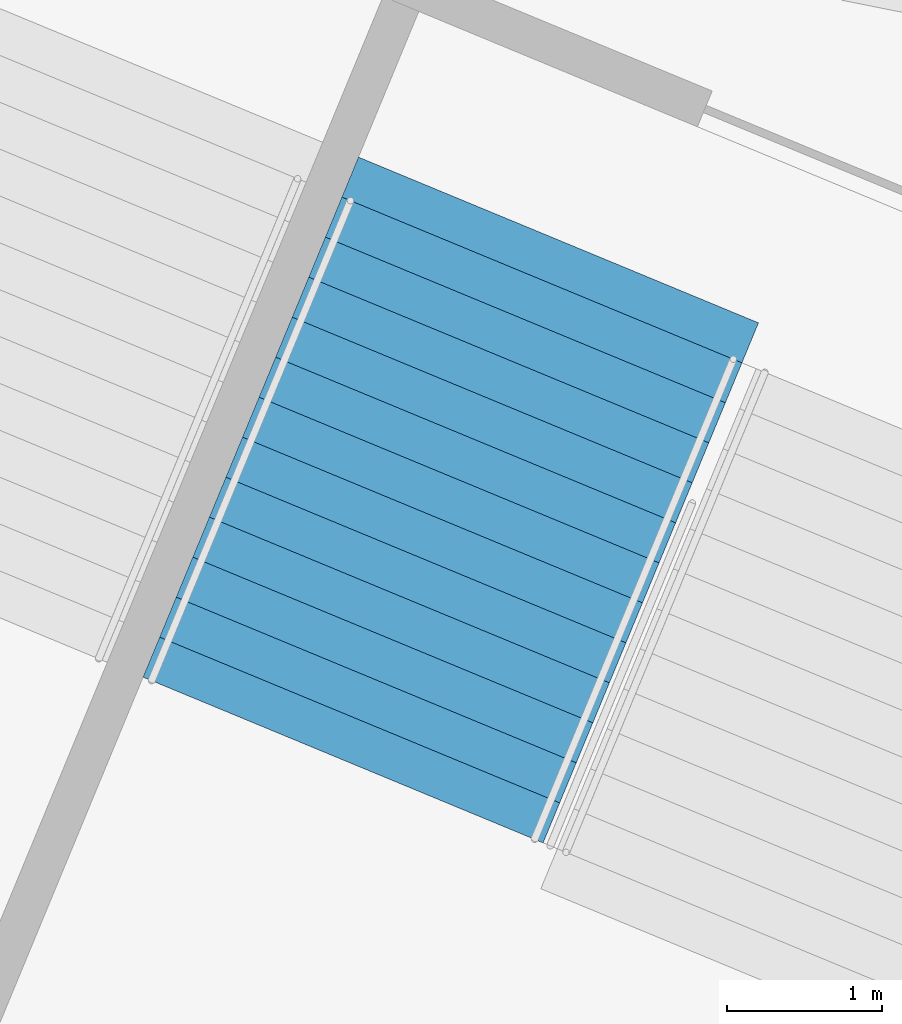
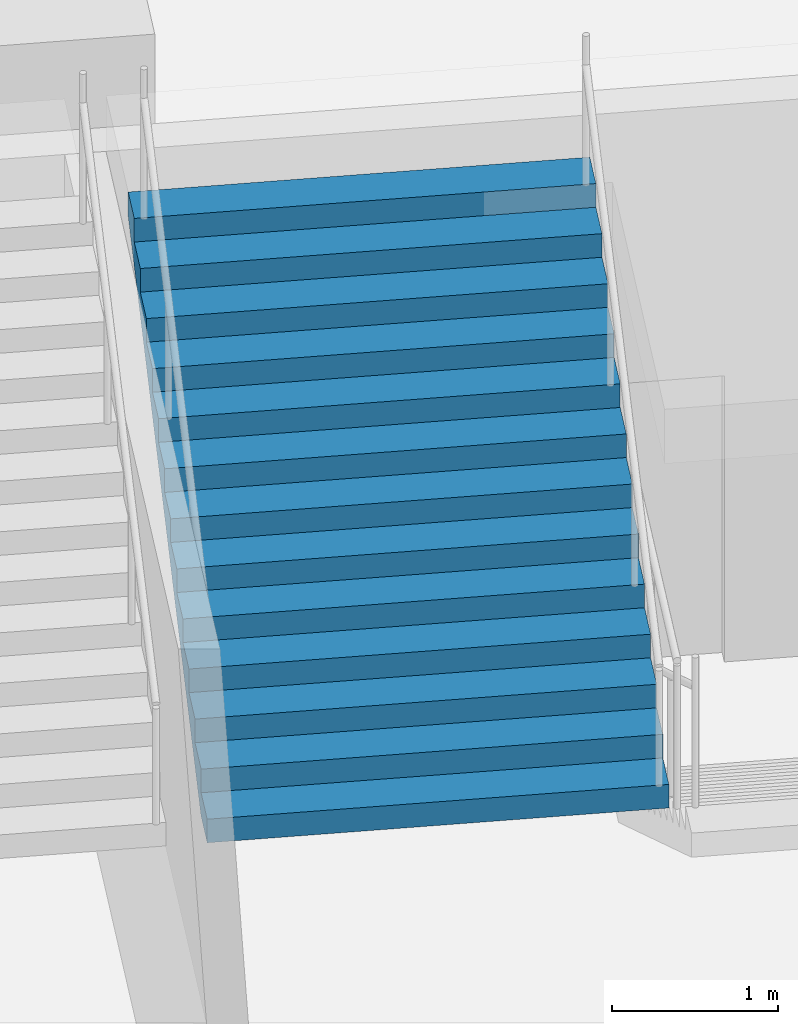
# One storey, part 50 of 175: 1 stair flight, 1 element without a shape of its own.
"""IFC4 building model written with IfcOpenShell, lengths in metres."""

from ifc_helpers import new_model, si_unit, direction, frame, origin, place, context, subcontext, project, spatial, faceted_brep, material, type_object, element, aggregate, save


model = new_model("IFC4")

# Units and contexts
model_context = context("Model", 3, precision=1e-05, world=origin(), true_north=direction((0.0, 1.0)))
body_context = subcontext(model_context, "Body", "Model", "MODEL_VIEW")
ifc_project = project(units=[si_unit("LENGTHUNIT", "METRE"), si_unit("AREAUNIT", "SQUARE_METRE"), si_unit("VOLUMEUNIT", "CUBIC_METRE"), si_unit("PLANEANGLEUNIT", "RADIAN"), si_unit("MASSUNIT", "GRAM", prefix="KILO")], contexts=[model_context])

# Site, building, storey
site_placement = place(None, origin())
site = spatial("IfcSite", under=ifc_project, at=site_placement, CompositionType="ELEMENT")
building_placement = place(site_placement, origin())
building = spatial("IfcBuilding", under=site, at=building_placement, Name="Ogive Plaza Stadium", CompositionType="ELEMENT")
storey_placement = place(building_placement, origin())
storey = spatial("IfcBuildingStorey", under=building, at=storey_placement, Name="L00", CompositionType="ELEMENT", Elevation=0.0)

# Stair, stair flight
ifc_material_1 = material(Name="Concrete C40/50", Category="concrete")
stair_type = type_object("IfcStairType", Name="Exit stair", PredefinedType="STRAIGHT_RUN_STAIR", material=ifc_material_1)
stair_placement = place(storey_placement, origin())
stair = element("IfcStair", 1, at=stair_placement, inside=storey, type_object=stair_type, Name="Exit stair ST18B L00 to L01", PredefinedType="STRAIGHT_RUN_STAIR")
ifc_material_2 = material(Name="Concrete C40/50", Category="concrete")
stair_flight_type = type_object("IfcStairFlightType", Name="Exit stair flight", PredefinedType="STRAIGHT", material=ifc_material_2)
stair_flight_placement = place(storey_placement, frame((-50.08349609375, -95.314208984375, 2.25), z_axis=(0.0, 0.0, 1.0), x_axis=(0.382683432365, 0.923879532511, 0.0)))
stair_flight = element("IfcStairFlight", 2, at=stair_flight_placement, type_object=stair_flight_type, Name="ST18B flight 2", NumberOfRisers=13, NumberOfTreads=12, PredefinedType="STRAIGHT", RiserHeight=0.173076923, TreadLength=0.28, context=body_context, shape_type="Brep", body=[
    faceted_brep([(0.28515625, -1.39990234375, 0.0), (3.639892578125, -1.39990234375, 2.07373046875), (3.639892578125, -1.39990234375, 2.25), (3.360107421875, -1.39990234375, 2.25), (3.360107421875, -1.39990234375, 2.076904296875), (3.080078125, -1.39990234375, 2.076904296875), (3.080078125, -1.39990234375, 1.90380859375), (2.800048828125, -1.39990234375, 1.90380859375), (2.800048828125, -1.39990234375, 1.730712890625), (2.52001953125, -1.39990234375, 1.730712890625), (2.52001953125, -1.39990234375, 1.5576171875), (2.239990234375, -1.39990234375, 1.5576171875), (2.239990234375, -1.39990234375, 1.384521484375), (1.9599609375, -1.39990234375, 1.384521484375), (1.9599609375, -1.39990234375, 1.21142578125), (1.679931640625, -1.39990234375, 1.21142578125), (1.679931640625, -1.39990234375, 1.03857421875), (1.39990234375, -1.39990234375, 1.03857421875), (1.39990234375, -1.39990234375, 0.865478515625), (1.1201171875, -1.39990234375, 0.865478515625), (1.1201171875, -1.39990234375, 0.6923828125), (0.840087890625, -1.39990234375, 0.6923828125), (0.840087890625, -1.39990234375, 0.519287109375), (0.56005859375, -1.39990234375, 0.519287109375), (0.56005859375, -1.39990234375, 0.34619140625), (0.280029296875, -1.39990234375, 0.34619140625), (0.280029296875, -1.39990234375, 0.173095703125), (0.0, -1.39990234375, 0.173095703125), (0.0, -1.39990234375, 0.0), (0.0, 1.39990234375, 0.0), (0.0, 1.39990234375, 0.173095703125), (0.280029296875, 1.39990234375, 0.173095703125), (0.280029296875, 1.39990234375, 0.34619140625), (0.56005859375, 1.39990234375, 0.34619140625), (0.56005859375, 1.39990234375, 0.519287109375), (0.840087890625, 1.39990234375, 0.519287109375), (0.840087890625, 1.39990234375, 0.6923828125), (1.1201171875, 1.39990234375, 0.6923828125), (1.1201171875, 1.39990234375, 0.865478515625), (1.39990234375, 1.39990234375, 0.865478515625), (1.39990234375, 1.39990234375, 1.03857421875), (1.679931640625, 1.39990234375, 1.03857421875), (1.679931640625, 1.39990234375, 1.21142578125), (1.9599609375, 1.39990234375, 1.21142578125), (1.9599609375, 1.39990234375, 1.384521484375), (2.239990234375, 1.39990234375, 1.384521484375), (2.239990234375, 1.39990234375, 1.5576171875), (2.52001953125, 1.39990234375, 1.5576171875), (2.52001953125, 1.39990234375, 1.730712890625), (2.800048828125, 1.39990234375, 1.730712890625), (2.800048828125, 1.39990234375, 1.90380859375), (3.080078125, 1.39990234375, 1.90380859375), (3.080078125, 1.39990234375, 2.076904296875), (3.360107421875, 1.39990234375, 2.076904296875), (3.360107421875, 1.39990234375, 2.25), (3.639892578125, 1.39990234375, 2.25), (3.639892578125, 1.39990234375, 2.07373046875), (0.28515625, 1.39990234375, 0.0), (0.28515625, -1.0888671875, 0.0), (3.639892578125, -1.0888671875, 2.07373046875), (0.28515625, -0.77783203125, 0.0), (3.639892578125, -0.77783203125, 2.07373046875), (0.28515625, -0.466796875, 0.0), (3.639892578125, -0.466796875, 2.07373046875), (0.28515625, -0.155517578125, 0.0), (3.639892578125, -0.155517578125, 2.07373046875), (0.28515625, 0.155517578125, 0.0), (3.639892578125, 0.155517578125, 2.07373046875), (0.28515625, 0.466796875, 0.0), (3.639892578125, 0.466796875, 2.07373046875), (0.28515625, 0.77783203125, 0.0), (3.639892578125, 0.77783203125, 2.07373046875), (0.28515625, 1.0888671875, 0.0), (3.639892578125, 1.0888671875, 2.07373046875), (3.639892578125, -1.0888671875, 2.25), (3.639892578125, -0.77783203125, 2.25), (3.639892578125, -0.466796875, 2.25), (3.639892578125, -0.155517578125, 2.25), (3.639892578125, 0.155517578125, 2.25), (3.639892578125, 0.466796875, 2.25), (3.639892578125, 0.77783203125, 2.25), (3.639892578125, 1.0888671875, 2.25), (3.360107421875, -1.0888671875, 2.25), (3.360107421875, -0.77783203125, 2.25), (3.360107421875, -0.466796875, 2.25), (3.360107421875, -0.155517578125, 2.25), (3.360107421875, 0.155517578125, 2.25), (3.360107421875, 0.466796875, 2.25), (3.360107421875, 0.77783203125, 2.25), (3.360107421875, 1.0888671875, 2.25), (3.360107421875, -1.0888671875, 2.076904296875), (3.360107421875, -0.77783203125, 2.076904296875), (3.360107421875, -0.466796875, 2.076904296875), (3.360107421875, -0.155517578125, 2.076904296875), (3.360107421875, 0.155517578125, 2.076904296875), (3.360107421875, 0.466796875, 2.076904296875), (3.360107421875, 0.77783203125, 2.076904296875), (3.360107421875, 1.0888671875, 2.076904296875), (3.080078125, -1.0888671875, 2.076904296875), (3.080078125, -0.77783203125, 2.076904296875), (3.080078125, -0.466796875, 2.076904296875), (3.080078125, -0.155517578125, 2.076904296875), (3.080078125, 0.155517578125, 2.076904296875), (3.080078125, 0.466796875, 2.076904296875), (3.080078125, 0.77783203125, 2.076904296875), (3.080078125, 1.0888671875, 2.076904296875), (3.080078125, -1.0888671875, 1.90380859375), (3.080078125, -0.77783203125, 1.90380859375), (3.080078125, -0.466796875, 1.90380859375), (3.080078125, -0.155517578125, 1.90380859375), (3.080078125, 0.155517578125, 1.90380859375), (3.080078125, 0.466796875, 1.90380859375), (3.080078125, 0.77783203125, 1.90380859375), (3.080078125, 1.0888671875, 1.90380859375), (2.800048828125, -1.0888671875, 1.90380859375), (2.800048828125, -0.77783203125, 1.90380859375), (2.800048828125, -0.466796875, 1.90380859375), (2.800048828125, -0.155517578125, 1.90380859375), (2.800048828125, 0.155517578125, 1.90380859375), (2.800048828125, 0.466796875, 1.90380859375), (2.800048828125, 0.77783203125, 1.90380859375), (2.800048828125, 1.0888671875, 1.90380859375), (2.800048828125, -1.0888671875, 1.730712890625), (2.800048828125, -0.77783203125, 1.730712890625), (2.800048828125, -0.466796875, 1.730712890625), (2.800048828125, -0.155517578125, 1.730712890625), (2.800048828125, 0.155517578125, 1.730712890625), (2.800048828125, 0.466796875, 1.730712890625), (2.800048828125, 0.77783203125, 1.730712890625), (2.800048828125, 1.0888671875, 1.730712890625), (2.52001953125, -1.0888671875, 1.730712890625), (2.52001953125, -0.77783203125, 1.730712890625), (2.52001953125, -0.466796875, 1.730712890625), (2.52001953125, -0.155517578125, 1.730712890625), (2.52001953125, 0.155517578125, 1.730712890625), (2.52001953125, 0.466796875, 1.730712890625), (2.52001953125, 0.77783203125, 1.730712890625), (2.52001953125, 1.0888671875, 1.730712890625), (2.52001953125, -1.0888671875, 1.5576171875), (2.52001953125, -0.77783203125, 1.5576171875), (2.52001953125, -0.466796875, 1.5576171875), (2.52001953125, -0.155517578125, 1.5576171875), (2.52001953125, 0.155517578125, 1.5576171875), (2.52001953125, 0.466796875, 1.5576171875), (2.52001953125, 0.77783203125, 1.5576171875), (2.52001953125, 1.0888671875, 1.5576171875), (2.239990234375, -1.0888671875, 1.5576171875), (2.239990234375, -0.77783203125, 1.5576171875), (2.239990234375, -0.466796875, 1.5576171875), (2.239990234375, -0.155517578125, 1.5576171875), (2.239990234375, 0.155517578125, 1.5576171875), (2.239990234375, 0.466796875, 1.5576171875), (2.239990234375, 0.77783203125, 1.5576171875), (2.239990234375, 1.0888671875, 1.5576171875), (2.239990234375, -1.0888671875, 1.384521484375), (2.239990234375, -0.77783203125, 1.384521484375), (2.239990234375, -0.466796875, 1.384521484375), (2.239990234375, -0.155517578125, 1.384521484375), (2.239990234375, 0.155517578125, 1.384521484375), (2.239990234375, 0.466796875, 1.384521484375), (2.239990234375, 0.77783203125, 1.384521484375), (2.239990234375, 1.0888671875, 1.384521484375), (1.9599609375, -1.0888671875, 1.384521484375), (1.9599609375, -0.77783203125, 1.384521484375), (1.9599609375, -0.466796875, 1.384521484375), (1.9599609375, -0.155517578125, 1.384521484375), (1.9599609375, 0.155517578125, 1.384521484375), (1.9599609375, 0.466796875, 1.384521484375), (1.9599609375, 0.77783203125, 1.384521484375), (1.9599609375, 1.0888671875, 1.384521484375), (1.9599609375, -1.0888671875, 1.21142578125), (1.9599609375, -0.77783203125, 1.21142578125), (1.9599609375, -0.466796875, 1.21142578125), (1.9599609375, -0.155517578125, 1.21142578125), (1.9599609375, 0.155517578125, 1.21142578125), (1.9599609375, 0.466796875, 1.21142578125), (1.9599609375, 0.77783203125, 1.21142578125), (1.9599609375, 1.0888671875, 1.21142578125), (1.679931640625, -1.0888671875, 1.21142578125), (1.679931640625, -0.77783203125, 1.21142578125), (1.679931640625, -0.466796875, 1.21142578125), (1.679931640625, -0.155517578125, 1.21142578125), (1.679931640625, 0.155517578125, 1.21142578125), (1.679931640625, 0.466796875, 1.21142578125), (1.679931640625, 0.77783203125, 1.21142578125), (1.679931640625, 1.0888671875, 1.21142578125), (1.679931640625, -1.0888671875, 1.03857421875), (1.679931640625, -0.77783203125, 1.03857421875), (1.679931640625, -0.466796875, 1.03857421875), (1.679931640625, -0.155517578125, 1.03857421875), (1.679931640625, 0.155517578125, 1.03857421875), (1.679931640625, 0.466796875, 1.03857421875), (1.679931640625, 0.77783203125, 1.03857421875), (1.679931640625, 1.0888671875, 1.03857421875), (1.39990234375, -1.0888671875, 1.03857421875), (1.39990234375, -0.77783203125, 1.03857421875), (1.39990234375, -0.466796875, 1.03857421875), (1.39990234375, -0.155517578125, 1.03857421875), (1.39990234375, 0.155517578125, 1.03857421875), (1.39990234375, 0.466796875, 1.03857421875), (1.39990234375, 0.77783203125, 1.03857421875), (1.39990234375, 1.0888671875, 1.03857421875), (1.39990234375, -1.0888671875, 0.865478515625), (1.39990234375, -0.77783203125, 0.865478515625), (1.39990234375, -0.466796875, 0.865478515625), (1.39990234375, -0.155517578125, 0.865478515625), (1.39990234375, 0.155517578125, 0.865478515625), (1.39990234375, 0.466796875, 0.865478515625), (1.39990234375, 0.77783203125, 0.865478515625), (1.39990234375, 1.0888671875, 0.865478515625), (1.1201171875, -1.0888671875, 0.865478515625), (1.1201171875, -0.77783203125, 0.865478515625), (1.1201171875, -0.466796875, 0.865478515625), (1.1201171875, -0.155517578125, 0.865478515625), (1.1201171875, 0.155517578125, 0.865478515625), (1.1201171875, 0.466796875, 0.865478515625), (1.1201171875, 0.77783203125, 0.865478515625), (1.1201171875, 1.0888671875, 0.865478515625), (1.1201171875, -1.0888671875, 0.6923828125), (1.1201171875, -0.77783203125, 0.6923828125), (1.1201171875, -0.466796875, 0.6923828125), (1.1201171875, -0.155517578125, 0.6923828125), (1.1201171875, 0.155517578125, 0.6923828125), (1.1201171875, 0.466796875, 0.6923828125), (1.1201171875, 0.77783203125, 0.6923828125), (1.1201171875, 1.0888671875, 0.6923828125), (0.840087890625, -1.0888671875, 0.6923828125), (0.840087890625, -0.77783203125, 0.6923828125), (0.840087890625, -0.466796875, 0.6923828125), (0.840087890625, -0.155517578125, 0.6923828125), (0.840087890625, 0.155517578125, 0.6923828125), (0.840087890625, 0.466796875, 0.6923828125), (0.840087890625, 0.77783203125, 0.6923828125), (0.840087890625, 1.0888671875, 0.6923828125), (0.840087890625, -1.0888671875, 0.519287109375), (0.840087890625, -0.77783203125, 0.519287109375), (0.840087890625, -0.466796875, 0.519287109375), (0.840087890625, -0.155517578125, 0.519287109375), (0.840087890625, 0.155517578125, 0.519287109375), (0.840087890625, 0.466796875, 0.519287109375), (0.840087890625, 0.77783203125, 0.519287109375), (0.840087890625, 1.0888671875, 0.519287109375), (0.56005859375, -1.0888671875, 0.519287109375), (0.56005859375, -0.77783203125, 0.519287109375), (0.56005859375, -0.466796875, 0.519287109375), (0.56005859375, -0.155517578125, 0.519287109375), (0.56005859375, 0.155517578125, 0.519287109375), (0.56005859375, 0.466796875, 0.519287109375), (0.56005859375, 0.77783203125, 0.519287109375), (0.56005859375, 1.0888671875, 0.519287109375), (0.56005859375, -1.0888671875, 0.34619140625), (0.56005859375, -0.77783203125, 0.34619140625), (0.56005859375, -0.466796875, 0.34619140625), (0.56005859375, -0.155517578125, 0.34619140625), (0.56005859375, 0.155517578125, 0.34619140625), (0.56005859375, 0.466796875, 0.34619140625), (0.56005859375, 0.77783203125, 0.34619140625), (0.56005859375, 1.0888671875, 0.34619140625), (0.280029296875, -1.0888671875, 0.34619140625), (0.280029296875, -0.77783203125, 0.34619140625), (0.280029296875, -0.466796875, 0.34619140625), (0.280029296875, -0.155517578125, 0.34619140625), (0.280029296875, 0.155517578125, 0.34619140625), (0.280029296875, 0.466796875, 0.34619140625), (0.280029296875, 0.77783203125, 0.34619140625), (0.280029296875, 1.0888671875, 0.34619140625), (0.280029296875, -1.0888671875, 0.173095703125), (0.280029296875, -0.77783203125, 0.173095703125), (0.280029296875, -0.466796875, 0.173095703125), (0.280029296875, -0.155517578125, 0.173095703125), (0.280029296875, 0.155517578125, 0.173095703125), (0.280029296875, 0.466796875, 0.173095703125), (0.280029296875, 0.77783203125, 0.173095703125), (0.280029296875, 1.0888671875, 0.173095703125), (0.0, -1.0888671875, 0.173095703125), (0.0, -0.77783203125, 0.173095703125), (0.0, -0.466796875, 0.173095703125), (0.0, -0.155517578125, 0.173095703125), (0.0, 0.155517578125, 0.173095703125), (0.0, 0.466796875, 0.173095703125), (0.0, 0.77783203125, 0.173095703125), (0.0, 1.0888671875, 0.173095703125), (0.0, -1.0888671875, 0.0), (0.0, -0.77783203125, 0.0), (0.0, -0.466796875, 0.0), (0.0, -0.155517578125, 0.0), (0.0, 0.155517578125, 0.0), (0.0, 0.466796875, 0.0), (0.0, 0.77783203125, 0.0), (0.0, 1.0888671875, 0.0)], [[[0, 1, 2, 3, 4, 5, 6, 7, 8, 9, 10, 11, 12, 13, 14, 15, 16, 17, 18, 19, 20, 21, 22, 23, 24, 25, 26, 27, 28]], [[29, 30, 31, 32, 33, 34, 35, 36, 37, 38, 39, 40, 41, 42, 43, 44, 45, 46, 47, 48, 49, 50, 51, 52, 53, 54, 55, 56, 57]], [[0, 58, 59, 1]], [[58, 60, 61, 59]], [[60, 62, 63, 61]], [[62, 64, 65, 63]], [[64, 66, 67, 65]], [[66, 68, 69, 67]], [[68, 70, 71, 69]], [[70, 72, 73, 71]], [[72, 57, 56, 73]], [[1, 59, 74, 2]], [[59, 61, 75, 74]], [[61, 63, 76, 75]], [[63, 65, 77, 76]], [[65, 67, 78, 77]], [[67, 69, 79, 78]], [[69, 71, 80, 79]], [[71, 73, 81, 80]], [[73, 56, 55, 81]], [[2, 74, 82, 3]], [[74, 75, 83, 82]], [[75, 76, 84, 83]], [[76, 77, 85, 84]], [[77, 78, 86, 85]], [[78, 79, 87, 86]], [[79, 80, 88, 87]], [[80, 81, 89, 88]], [[81, 55, 54, 89]], [[3, 82, 90, 4]], [[82, 83, 91, 90]], [[83, 84, 92, 91]], [[84, 85, 93, 92]], [[85, 86, 94, 93]], [[86, 87, 95, 94]], [[87, 88, 96, 95]], [[88, 89, 97, 96]], [[89, 54, 53, 97]], [[4, 90, 98, 5]], [[90, 91, 99, 98]], [[91, 92, 100, 99]], [[92, 93, 101, 100]], [[93, 94, 102, 101]], [[94, 95, 103, 102]], [[95, 96, 104, 103]], [[96, 97, 105, 104]], [[97, 53, 52, 105]], [[5, 98, 106, 6]], [[98, 99, 107, 106]], [[99, 100, 108, 107]], [[100, 101, 109, 108]], [[101, 102, 110, 109]], [[102, 103, 111, 110]], [[103, 104, 112, 111]], [[104, 105, 113, 112]], [[105, 52, 51, 113]], [[6, 106, 114, 7]], [[106, 107, 115, 114]], [[107, 108, 116, 115]], [[108, 109, 117, 116]], [[109, 110, 118, 117]], [[110, 111, 119, 118]], [[111, 112, 120, 119]], [[112, 113, 121, 120]], [[113, 51, 50, 121]], [[7, 114, 122, 8]], [[114, 115, 123, 122]], [[115, 116, 124, 123]], [[116, 117, 125, 124]], [[117, 118, 126, 125]], [[118, 119, 127, 126]], [[119, 120, 128, 127]], [[120, 121, 129, 128]], [[121, 50, 49, 129]], [[8, 122, 130, 9]], [[122, 123, 131, 130]], [[123, 124, 132, 131]], [[124, 125, 133, 132]], [[125, 126, 134, 133]], [[126, 127, 135, 134]], [[127, 128, 136, 135]], [[128, 129, 137, 136]], [[129, 49, 48, 137]], [[9, 130, 138, 10]], [[130, 131, 139, 138]], [[131, 132, 140, 139]], [[132, 133, 141, 140]], [[133, 134, 142, 141]], [[134, 135, 143, 142]], [[135, 136, 144, 143]], [[136, 137, 145, 144]], [[137, 48, 47, 145]], [[10, 138, 146, 11]], [[138, 139, 147, 146]], [[139, 140, 148, 147]], [[140, 141, 149, 148]], [[141, 142, 150, 149]], [[142, 143, 151, 150]], [[143, 144, 152, 151]], [[144, 145, 153, 152]], [[145, 47, 46, 153]], [[11, 146, 154, 12]], [[146, 147, 155, 154]], [[147, 148, 156, 155]], [[148, 149, 157, 156]], [[149, 150, 158, 157]], [[150, 151, 159, 158]], [[151, 152, 160, 159]], [[152, 153, 161, 160]], [[153, 46, 45, 161]], [[12, 154, 162, 13]], [[154, 155, 163, 162]], [[155, 156, 164, 163]], [[156, 157, 165, 164]], [[157, 158, 166, 165]], [[158, 159, 167, 166]], [[159, 160, 168, 167]], [[160, 161, 169, 168]], [[161, 45, 44, 169]], [[13, 162, 170, 14]], [[162, 163, 171, 170]], [[163, 164, 172, 171]], [[164, 165, 173, 172]], [[165, 166, 174, 173]], [[166, 167, 175, 174]], [[167, 168, 176, 175]], [[168, 169, 177, 176]], [[169, 44, 43, 177]], [[14, 170, 178, 15]], [[170, 171, 179, 178]], [[171, 172, 180, 179]], [[172, 173, 181, 180]], [[173, 174, 182, 181]], [[174, 175, 183, 182]], [[175, 176, 184, 183]], [[176, 177, 185, 184]], [[177, 43, 42, 185]], [[15, 178, 186, 16]], [[178, 179, 187, 186]], [[179, 180, 188, 187]], [[180, 181, 189, 188]], [[181, 182, 190, 189]], [[182, 183, 191, 190]], [[183, 184, 192, 191]], [[184, 185, 193, 192]], [[185, 42, 41, 193]], [[16, 186, 194, 17]], [[186, 187, 195, 194]], [[187, 188, 196, 195]], [[188, 189, 197, 196]], [[189, 190, 198, 197]], [[190, 191, 199, 198]], [[191, 192, 200, 199]], [[192, 193, 201, 200]], [[193, 41, 40, 201]], [[17, 194, 202, 18]], [[194, 195, 203, 202]], [[195, 196, 204, 203]], [[196, 197, 205, 204]], [[197, 198, 206, 205]], [[198, 199, 207, 206]], [[199, 200, 208, 207]], [[200, 201, 209, 208]], [[201, 40, 39, 209]], [[18, 202, 210, 19]], [[202, 203, 211, 210]], [[203, 204, 212, 211]], [[204, 205, 213, 212]], [[205, 206, 214, 213]], [[206, 207, 215, 214]], [[207, 208, 216, 215]], [[208, 209, 217, 216]], [[209, 39, 38, 217]], [[19, 210, 218, 20]], [[210, 211, 219, 218]], [[211, 212, 220, 219]], [[212, 213, 221, 220]], [[213, 214, 222, 221]], [[214, 215, 223, 222]], [[215, 216, 224, 223]], [[216, 217, 225, 224]], [[217, 38, 37, 225]], [[20, 218, 226, 21]], [[218, 219, 227, 226]], [[219, 220, 228, 227]], [[220, 221, 229, 228]], [[221, 222, 230, 229]], [[222, 223, 231, 230]], [[223, 224, 232, 231]], [[224, 225, 233, 232]], [[225, 37, 36, 233]], [[21, 226, 234, 22]], [[226, 227, 235, 234]], [[227, 228, 236, 235]], [[228, 229, 237, 236]], [[229, 230, 238, 237]], [[230, 231, 239, 238]], [[231, 232, 240, 239]], [[232, 233, 241, 240]], [[233, 36, 35, 241]], [[22, 234, 242, 23]], [[234, 235, 243, 242]], [[235, 236, 244, 243]], [[236, 237, 245, 244]], [[237, 238, 246, 245]], [[238, 239, 247, 246]], [[239, 240, 248, 247]], [[240, 241, 249, 248]], [[241, 35, 34, 249]], [[23, 242, 250, 24]], [[242, 243, 251, 250]], [[243, 244, 252, 251]], [[244, 245, 253, 252]], [[245, 246, 254, 253]], [[246, 247, 255, 254]], [[247, 248, 256, 255]], [[248, 249, 257, 256]], [[249, 34, 33, 257]], [[24, 250, 258, 25]], [[250, 251, 259, 258]], [[251, 252, 260, 259]], [[252, 253, 261, 260]], [[253, 254, 262, 261]], [[254, 255, 263, 262]], [[255, 256, 264, 263]], [[256, 257, 265, 264]], [[257, 33, 32, 265]], [[25, 258, 266, 26]], [[258, 259, 267, 266]], [[259, 260, 268, 267]], [[260, 261, 269, 268]], [[261, 262, 270, 269]], [[262, 263, 271, 270]], [[263, 264, 272, 271]], [[264, 265, 273, 272]], [[265, 32, 31, 273]], [[26, 266, 274, 27]], [[266, 267, 275, 274]], [[267, 268, 276, 275]], [[268, 269, 277, 276]], [[269, 270, 278, 277]], [[270, 271, 279, 278]], [[271, 272, 280, 279]], [[272, 273, 281, 280]], [[273, 31, 30, 281]], [[27, 274, 282, 28]], [[274, 275, 283, 282]], [[275, 276, 284, 283]], [[276, 277, 285, 284]], [[277, 278, 286, 285]], [[278, 279, 287, 286]], [[279, 280, 288, 287]], [[280, 281, 289, 288]], [[281, 30, 29, 289]], [[28, 282, 58, 0]], [[282, 283, 60, 58]], [[283, 284, 62, 60]], [[284, 285, 64, 62]], [[285, 286, 66, 64]], [[286, 287, 68, 66]], [[287, 288, 70, 68]], [[288, 289, 72, 70]], [[289, 29, 57, 72]]]),
])
aggregate(stair, [stair_flight])

save(model, "model.ifc")
